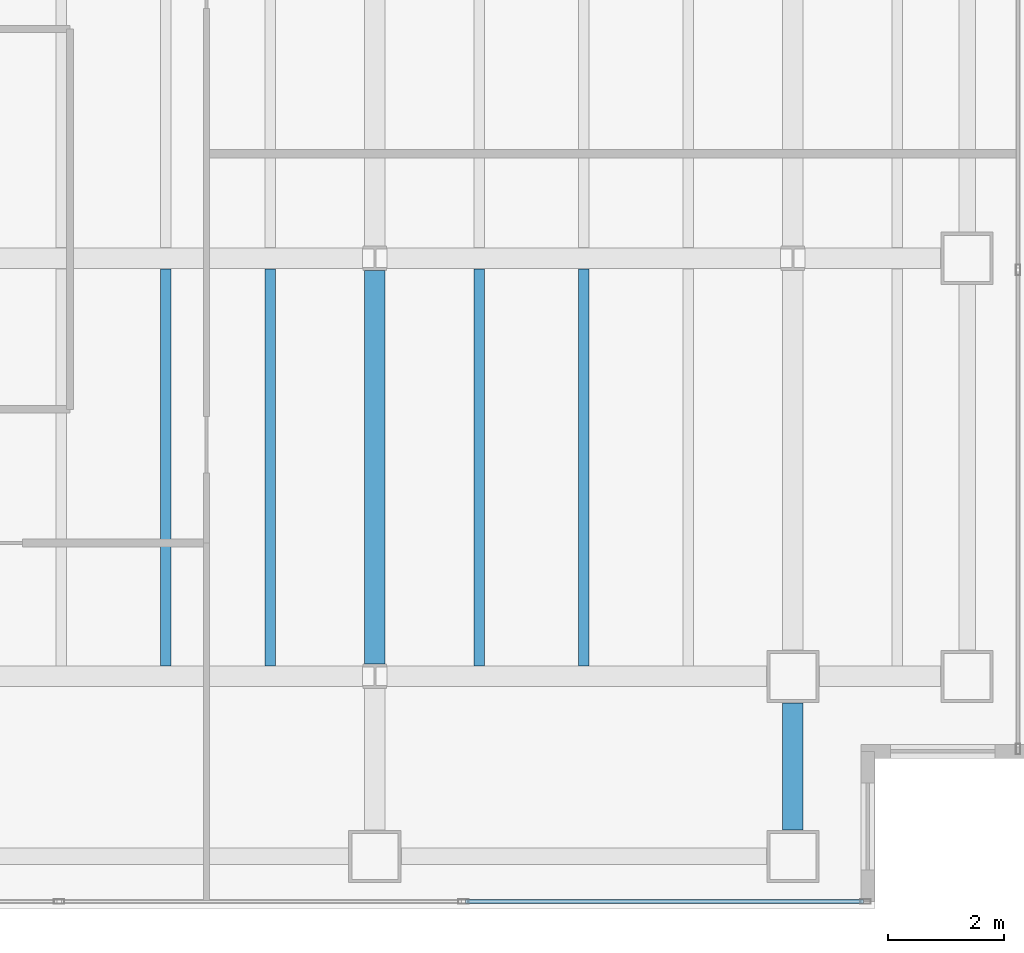
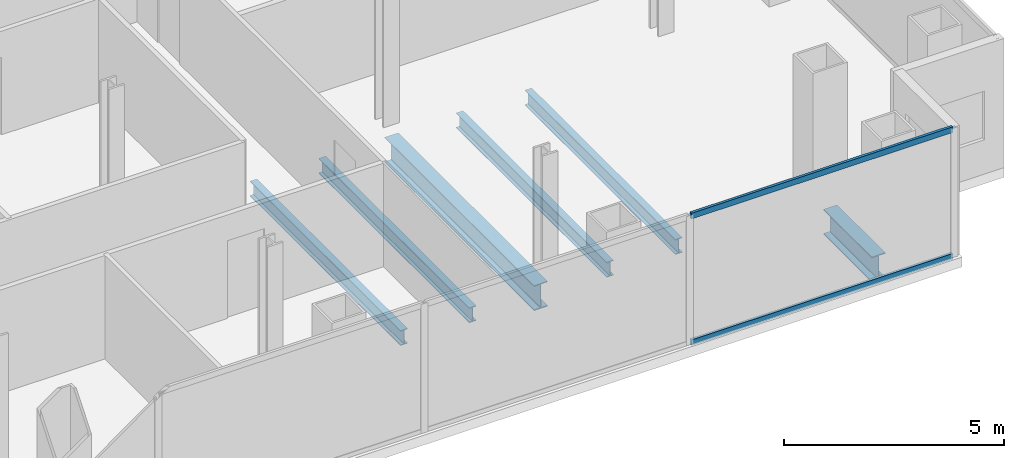
# One storey, part 10 of 23: 6 beams, 2 members, 1 element without a shape of its own.
"""IFC4 building model written with IfcOpenShell, lengths in metres."""

from ifc_helpers import new_model, si_unit, direction, frame, origin, origin_2d, place, context, subcontext, project, spatial, hollow_rectangle, i_section, extrude, material, material_profile, profile_set, type_object, element, aggregate, save


model = new_model("IFC4")

# Units and contexts
model_context = context("Model", 3, precision=1e-05, world=origin(), true_north=direction((0.0, 1.0)))
body_context = subcontext(model_context, "Body", "Model", "MODEL_VIEW")
ifc_project = project(units=[si_unit("LENGTHUNIT", "METRE"), si_unit("AREAUNIT", "SQUARE_METRE"), si_unit("VOLUMEUNIT", "CUBIC_METRE"), si_unit("PLANEANGLEUNIT", "RADIAN"), si_unit("MASSUNIT", "GRAM", prefix="KILO")], contexts=[model_context])

# Site, building, storey
site_placement = place(None, origin())
site = spatial("IfcSite", under=ifc_project, at=site_placement, CompositionType="ELEMENT")
building_placement = place(site_placement, origin())
building = spatial("IfcBuilding", under=site, at=building_placement, Name="Cobrela Telecom Tower", CompositionType="ELEMENT")
storey_placement = place(building_placement, frame((0.0, 0.0, 144.550048828125)))
storey = spatial("IfcBuildingStorey", under=building, at=storey_placement, Name="L36", CompositionType="ELEMENT", Elevation=144.550048828125)

# Beams
ifc_material_1 = material(Name="Steel ASTM A992 Grade 50", Category="steel")
ifc_material_profile_1 = material_profile(ifc_material_1, i_section(OverallWidth=0.35595703125, OverallDepth=0.696044921875, WebThickness=0.015380859375, FlangeThickness=0.024658203125, FilletRadius=0.01806640625, at=origin_2d()), Name="W27X146")
ifc_profile_set_1 = profile_set([ifc_material_profile_1], Name="Steel ASTM A992 Grade 50")
beam_type_1 = type_object("IfcBeamType", Name="BM-GIRD-05", PredefinedType="USERDEFINED", material=ifc_profile_set_1)
beam_1_placement = place(storey_placement, frame((36.0, 7.409423828125, -0.6181640625), z_axis=(0.0, 1.0, 0.0), x_axis=(-1.0, 0.0, 0.0)))
element("IfcBeam", 1, at=beam_1_placement, inside=storey, type_object=beam_type_1, Name="L36 Primary Girder Y50", ObjectType="GIRDER", PredefinedType="USERDEFINED", context=body_context, shape_type="SweptSolid", body=[
    extrude(i_section(OverallWidth=0.35595703125, OverallDepth=0.696044921875, WebThickness=0.015380859375, FlangeThickness=0.024658203125, FilletRadius=0.01806640625, at=origin_2d()), origin(), (0.0, 0.0, 1.0), 6.781005859375),
])
beam_2_placement = place(storey_placement, frame((43.199951171875, 4.554931640625, -0.6181640625), z_axis=(0.0, 1.0, 0.0), x_axis=(-1.0, 0.0, 0.0)))
element("IfcBeam", 2, at=beam_2_placement, inside=storey, type_object=beam_type_1, Name="L36 Primary Girder Y52", ObjectType="GIRDER", PredefinedType="USERDEFINED", context=body_context, shape_type="SweptSolid", body=[
    extrude(i_section(OverallWidth=0.35595703125, OverallDepth=0.696044921875, WebThickness=0.015380859375, FlangeThickness=0.024658203125, FilletRadius=0.01806640625, at=origin_2d()), origin(), (0.0, 0.0, 1.0), 2.190185546875),
])
ifc_material_profile_2 = material_profile(ifc_material_1, i_section(OverallWidth=0.179931640625, OverallDepth=0.4169921875, WebThickness=0.010986328125, FlangeThickness=0.01806640625, FilletRadius=0.011962890625, at=origin_2d()), Name="W16X57")
ifc_profile_set_2 = profile_set([ifc_material_profile_2], Name="Steel ASTM A992 Grade 50")
beam_type_2 = type_object("IfcBeamType", Name="BM-JOIST-04", PredefinedType="JOIST", material=ifc_profile_set_2)
for number, where, z_axis, x_axis, name in (
    (3, (32.39990234375, 7.383056640625, -0.478515625), (0.0, 1.0, 0.0), (-1.0, 0.0, 0.0), "L36 Secondary Composite Floor Beam J29"),
    (4, (34.199951171875, 7.383056640625, -0.478515625), (0.0, 1.0, 0.0), (-1.0, 0.0, 0.0), "L36 Secondary Composite Floor Beam J31"),
    (5, (37.800048828125, 7.383056640625, -0.478515625), (0.0, 1.0, 0.0), (-1.0, 0.0, 0.0), "L36 Secondary Composite Floor Beam J33"),
    (6, (39.60009765625, 7.383056640625, -0.478515625), (0.0, 1.0, 0.0), (-1.0, 0.0, 0.0), "L36 Secondary Composite Floor Beam J35"),
):
    element("IfcBeam", number, at=place(storey_placement, frame(where, z_axis=z_axis, x_axis=x_axis)), inside=storey, type_object=beam_type_2, Name=name, PredefinedType="JOIST", context=body_context, shape_type="SweptSolid", body=[
        extrude(i_section(OverallWidth=0.179931640625, OverallDepth=0.4169921875, WebThickness=0.010986328125, FlangeThickness=0.01806640625, FilletRadius=0.011962890625, at=origin_2d()), origin(), (0.0, 0.0, 1.0), 6.833984375),
    ])

# Curtain wall, members
ifc_material_2 = material(Name="Anodized Bronze Aluminium 6063-T6", Category="aluminium")
curtain_wall_type = type_object("IfcCurtainWallType", Name="CW-SYS-TEL", PredefinedType="USERDEFINED", material=ifc_material_2)
curtain_wall_placement = place(storey_placement, origin())
curtain_wall = element("IfcCurtainWall", 7, at=curtain_wall_placement, inside=storey, type_object=curtain_wall_type, Name="L36 Unitised Bronze Curtain Wall 17", ObjectType="UNITISED CURTAIN WALL", PredefinedType="USERDEFINED")
ifc_material_profile_3 = material_profile(ifc_material_2, hollow_rectangle(XDim=0.070068359375, YDim=0.159912109375, WallThickness=0.00390625, at=origin_2d()), Name="ALU 70x160x4")
ifc_profile_set_3 = profile_set([ifc_material_profile_3], Name="Anodized Bronze Aluminium 6063-T6")
member_type = type_object("IfcMemberType", Name="CW-SYS-TEL-TRN", PredefinedType="USERDEFINED", material=ifc_profile_set_3)
member_1_placement = place(storey_placement, frame((44.4150390625, 3.320068359375, 0.034912109375), z_axis=(-1.0, 0.0, 0.0), x_axis=(0.0, -1.0, 0.0)))
member_1 = element("IfcMember", 8, at=member_1_placement, type_object=member_type, Name="CW-TEL transom 1.1", ObjectType="TRANSOM", PredefinedType="USERDEFINED", context=body_context, shape_type="SweptSolid", body=[
    extrude(hollow_rectangle(XDim=0.070068359375, YDim=0.159912109375, WallThickness=0.00390625, at=origin_2d()), origin(), (0.0, 0.0, 1.0), 6.850830078125),
])
member_2_placement = place(storey_placement, frame((44.4150390625, 3.320068359375, 3.544921875), z_axis=(-1.0, 0.0, 0.0), x_axis=(0.0, -1.0, 0.0)))
member_2 = element("IfcMember", 9, at=member_2_placement, type_object=member_type, Name="CW-TEL transom 1.2", ObjectType="TRANSOM", PredefinedType="USERDEFINED", context=body_context, shape_type="SweptSolid", body=[
    extrude(hollow_rectangle(XDim=0.070068359375, YDim=0.159912109375, WallThickness=0.00390625, at=origin_2d()), origin(), (0.0, 0.0, 1.0), 6.850830078125),
])
aggregate(curtain_wall, [member_1, member_2])

save(model, "model.ifc")
